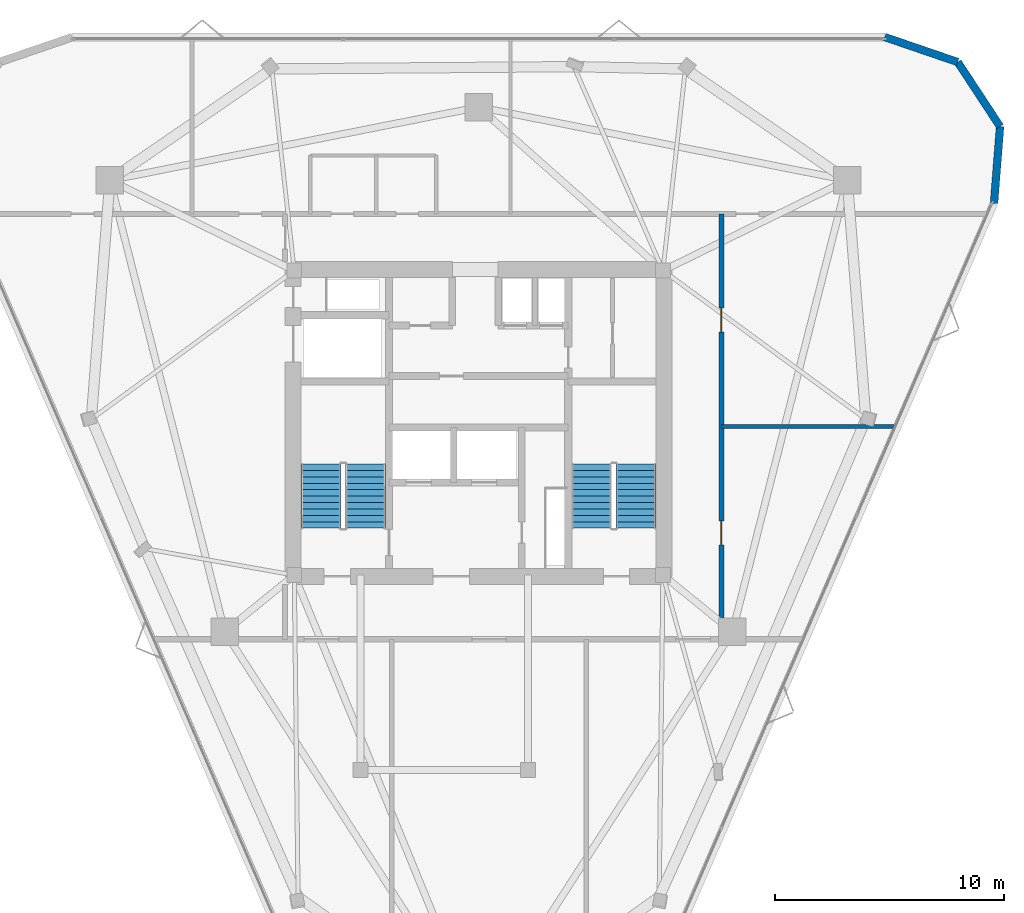
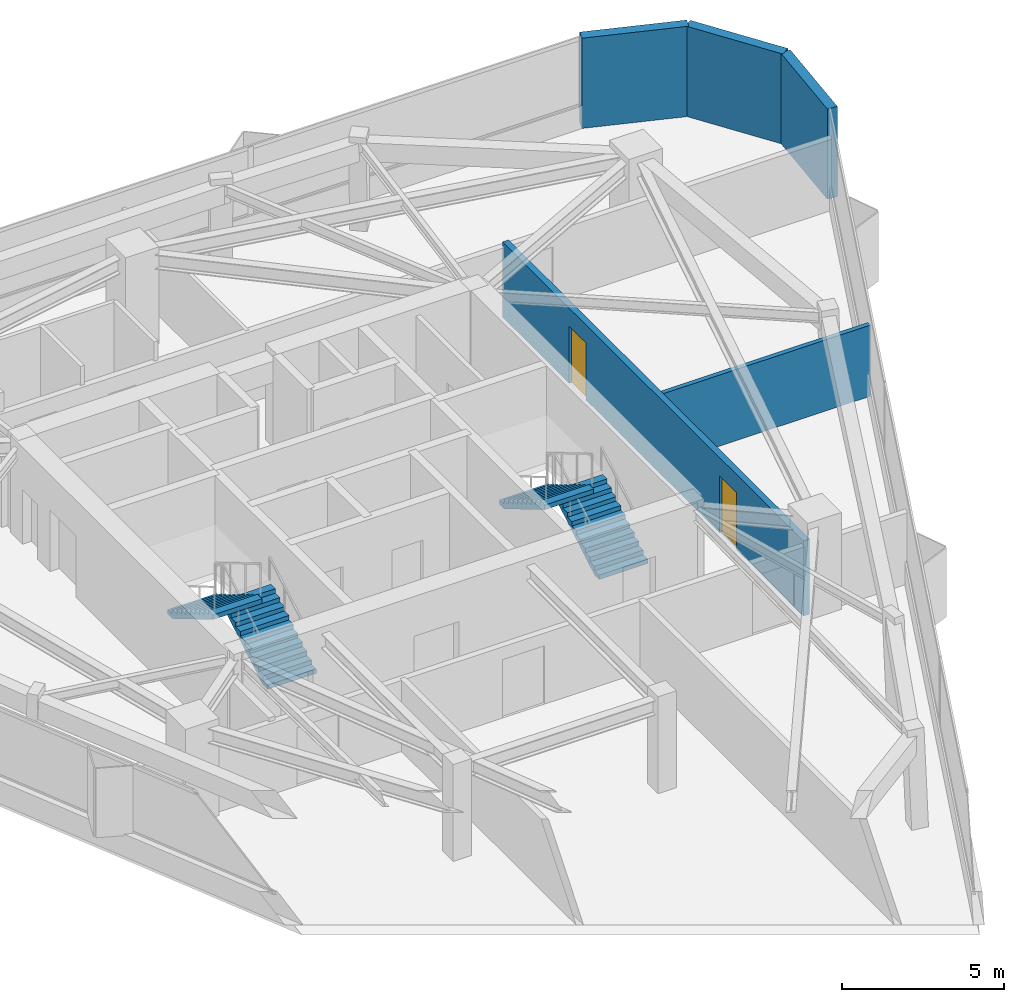
# One storey, part 10 of 11: 5 walls, 4 stair flights, 2 doors, 2 openings, 2 elements without a shape of their own.
"""IFC4 building model written with IfcOpenShell, lengths in metres."""

from ifc_helpers import new_model, si_unit, direction, frame, frame_2d, origin, place, context, subcontext, project, spatial, polyline, rectangle, outline, extrude, material, layer, layer_set, type_object, element, fill, aggregate, save


model = new_model("IFC4")

# Units and contexts
model_context = context("Model", 3, precision=1e-05, world=origin(), true_north=direction((0.0, 1.0)))
body_context = subcontext(model_context, "Body", "Model", "MODEL_VIEW")
ifc_project = project(units=[si_unit("LENGTHUNIT", "METRE"), si_unit("AREAUNIT", "SQUARE_METRE"), si_unit("VOLUMEUNIT", "CUBIC_METRE"), si_unit("PLANEANGLEUNIT", "RADIAN"), si_unit("MASSUNIT", "GRAM", prefix="KILO")], contexts=[model_context])

# Site, building, storey
site_placement = place(None, origin())
site = spatial("IfcSite", under=ifc_project, at=site_placement, CompositionType="ELEMENT")
building_placement = place(site_placement, origin())
building = spatial("IfcBuilding", under=site, at=building_placement, Name="Talyreon Biosciences Tower", CompositionType="ELEMENT")
storey_placement = place(building_placement, frame((0.0, 0.0, 264.449951171875)))
storey = spatial("IfcBuildingStorey", under=building, at=storey_placement, Name="L70", CompositionType="ELEMENT", Elevation=264.449951171875)

# Wall, openings, doors
ifc_material_1 = material(Name="Gypsum fireboard acoustic stud", Category="gypsum")
ifc_layer_1 = layer(ifc_material_1, 0.219970703125)
ifc_layer_set_1 = layer_set([ifc_layer_1], Name="Gypsum fireboard acoustic stud")
wall_type_1 = type_object("IfcWallType", Name="CorridorRatedPartition_220", PredefinedType="PARTITIONING", material=ifc_layer_set_1)
wall_1_placement = place(storey_placement, frame((76.60009765625, 58.550048828125, 0.0), z_axis=(0.0, 0.0, 1.0), x_axis=(0.0, 1.0, 0.0)))
wall_1 = element("IfcWall", 1, at=wall_1_placement, inside=storey, type_object=wall_type_1, Name="L70 Interior Wall IW-L70-COR-E", PredefinedType="PARTITIONING", context=body_context, shape_type="SweptSolid", body=[
    extrude(rectangle(XDim=18.579833984375, YDim=0.219970703125, at=frame_2d((9.2900390625, 0.0))), origin(), (0.0, 0.0, 1.0), 2.830078125),
])
opening_1_placement = place(wall_1_placement, frame((4.1201171875, 0.0, 0.0)))
opening_1 = element("IfcOpeningElement", 2, at=opening_1_placement, cuts=wall_1, Name="Opening DR-L70-E1A", PredefinedType="OPENING", context=body_context, shape_type="SweptSolid", body=[
    extrude(rectangle(XDim=1.050048828125, YDim=2.14990234375, at=frame_2d((0.52490234375, 1.074951171875))), frame((0.0, 0.119873046875, 0.0), z_axis=(0.0, -1.0, 0.0), x_axis=(1.0, 0.0, 0.0)), (0.0, 0.0, 1.0), 0.239990234375),
])
opening_2_placement = place(wall_1_placement, frame((13.409912109375, 0.0, 0.0)))
opening_2 = element("IfcOpeningElement", 3, at=opening_2_placement, cuts=wall_1, Name="Opening DR-L70-E2A", PredefinedType="OPENING", context=body_context, shape_type="SweptSolid", body=[
    extrude(rectangle(XDim=1.050048828125, YDim=2.14990234375, at=frame_2d((0.52490234375, 1.074951171875))), frame((0.0, 0.119873046875, 0.0), z_axis=(0.0, -1.0, 0.0), x_axis=(1.0, 0.0, 0.0)), (0.0, 0.0, 1.0), 0.239990234375),
])
ifc_material_2 = material(Name="Acoustic timber-core laboratory door", Category="wood")
door_type = type_object("IfcDoorType", Name="DryLabSingleDoor_1050x2150", OperationType="NOTDEFINED", PredefinedType="DOOR", material=ifc_material_2)
door_1_placement = place(opening_1_placement, origin())
door_1 = element("IfcDoor", 4, at=door_1_placement, inside=storey, type_object=door_type, Name="L70 Interior Door DR-L70-E1A", OperationType="SINGLE_SWING_RIGHT", OverallHeight=2.14990234375, OverallWidth=1.050048828125, PredefinedType="DOOR", context=body_context, shape_type="SweptSolid", body=[
    extrude(rectangle(XDim=1.050048828125, YDim=2.14990234375, at=frame_2d((0.52490234375, 1.074951171875))), frame((0.0, 0.02490234375, 0.0), z_axis=(0.0, -1.0, 0.0), x_axis=(1.0, 0.0, 0.0)), (0.0, 0.0, 1.0), 0.050048828125),
])
fill(opening_1, door_1)
door_2_placement = place(opening_2_placement, origin())
door_2 = element("IfcDoor", 5, at=door_2_placement, inside=storey, type_object=door_type, Name="L70 Interior Door DR-L70-E2A", OperationType="SINGLE_SWING_LEFT", OverallHeight=2.14990234375, OverallWidth=1.050048828125, PredefinedType="DOOR", context=body_context, shape_type="SweptSolid", body=[
    extrude(rectangle(XDim=1.050048828125, YDim=2.14990234375, at=frame_2d((0.52490234375, 1.074951171875))), frame((0.0, 0.02490234375, 0.0), z_axis=(0.0, -1.0, 0.0), x_axis=(1.0, 0.0, 0.0)), (0.0, 0.0, 1.0), 0.050048828125),
])
fill(opening_2, door_2)

# Walls
ifc_material_3 = material(Name="Gypsum acoustic stud partition", Category="gypsum")
ifc_layer_2 = layer(ifc_material_3, 0.159912109375)
ifc_layer_set_2 = layer_set([ifc_layer_2], Name="Gypsum acoustic stud partition")
wall_type_2 = type_object("IfcWallType", Name="LabSeparationPartition_160", PredefinedType="PARTITIONING", material=ifc_layer_set_2)
wall_2_placement = place(storey_placement, frame((76.60009765625, 67.840087890625, 0.0), z_axis=(0.0, 0.0, 1.0), x_axis=(1.0, 0.0, 0.0)))
element("IfcWall", 6, at=wall_2_placement, inside=storey, type_object=wall_type_2, Name="L70 Interior Wall IW-L70-EDIV1", PredefinedType="PARTITIONING", context=body_context, shape_type="SweptSolid", body=[
    extrude(rectangle(XDim=7.599853515625, YDim=0.159912109375, at=frame_2d((3.7998046875, 0.0))), origin(), (0.0, 0.0, 1.0), 2.679931640625),
])
ifc_material_4 = material(Name="Precast concrete C45/55", Category="concrete")
ifc_layer_3 = layer(ifc_material_4, 0.340087890625)
ifc_layer_set_3 = layer_set([ifc_layer_3], Name="Precast concrete C45/55")
wall_type_3 = type_object("IfcWallType", Name="PrecastConcreteSpandrelWall_340", PredefinedType="STANDARD", material=ifc_layer_set_3)
for number, where, z_axis, x_axis, name in (
    (7, (83.738525390625, 84.85107421875, 0.0), (0.0, 0.0, 1.0), (0.946079263446, -0.323935220805, 0.0), "L70 Rounded-Corner Concrete Pier 05"),
    (8, (86.92578125, 83.759765625, 0.0), (0.0, 0.0, 1.0), (0.548950833431, -0.835854641953, 0.0), "L70 Rounded-Corner Concrete Pier 06"),
    (9, (88.775146484375, 80.94384765625, 0.0), (0.0, 0.0, 1.0), (-0.078558440607, -0.996909510141, 0.0), "L70 Rounded-Corner Concrete Pier 07"),
):
    element("IfcWall", number, at=place(storey_placement, frame(where, z_axis=z_axis, x_axis=x_axis)), inside=storey, type_object=wall_type_3, Name=name, PredefinedType="STANDARD", context=body_context, shape_type="SweptSolid", body=[
        extrude(rectangle(XDim=3.368896484375, YDim=0.340087890625, at=frame_2d((1.6845703125, 0.0))), origin(), (0.0, 0.0, 1.0), 3.400146484375),
    ])

# Stair, stair flights
ifc_material_5 = material(Name="Concrete C40/50", Category="concrete")
stair_type = type_object("IfcStairType", Name="DoglegEscapeStair_3650", PredefinedType="HALF_TURN_STAIR", material=ifc_material_5)
stair_1_placement = place(storey_placement, origin())
stair_1 = element("IfcStair", 10, at=stair_1_placement, inside=storey, type_object=stair_type, Name="L70 Core Escape Stair 1", PredefinedType="HALF_TURN_STAIR")
stair_flight_type = type_object("IfcStairFlightType", Name="PrecastStairFlight_3650", PredefinedType="STRAIGHT", material=ifc_material_5)
stair_flight_1_placement = place(storey_placement, frame((61.06005859375, 63.39990234375, 0.0), z_axis=(0.0, 0.0, 1.0), x_axis=(0.0, 1.0, 0.0)))
stair_flight_1 = element("IfcStairFlight", 11, at=stair_flight_1_placement, type_object=stair_flight_type, Name="ST-1 flight 1", NumberOfRisers=11, NumberOfTreads=10, PredefinedType="STRAIGHT", RiserHeight=0.165909091, TreadLength=0.28, context=body_context, shape_type="SweptSolid", body=[
    extrude(outline(polyline([(0.0, 0.0), (0.0, 0.166015625), (0.280029296875, 0.166015625), (0.280029296875, 0.331787109375), (0.56005859375, 0.331787109375), (0.56005859375, 0.497802734375), (0.840087890625, 0.497802734375), (0.840087890625, 0.66357421875), (1.1201171875, 0.66357421875), (1.1201171875, 0.82958984375), (1.39990234375, 0.82958984375), (1.39990234375, 0.995361328125), (1.679931640625, 0.995361328125), (1.679931640625, 1.161376953125), (1.9599609375, 1.161376953125), (1.9599609375, 1.327392578125), (2.239990234375, 1.327392578125), (2.239990234375, 1.4931640625), (2.52001953125, 1.4931640625), (2.52001953125, 1.6591796875), (2.800048828125, 1.6591796875), (2.800048828125, 1.824951171875), (2.800048828125, 1.48486328125), (0.2939453125, 0.0), (0.0, 0.0)])), frame((0.0, 0.8701171875, 0.0), z_axis=(0.0, -1.0, 0.0), x_axis=(1.0, 0.0, 0.0)), (0.0, 0.0, 1.0), 1.739990234375),
])
stair_flight_2_placement = place(storey_placement, frame((59.1201171875, 66.199951171875, 1.824951171875), z_axis=(0.0, 0.0, 1.0), x_axis=(0.0, -1.0, 0.0)))
stair_flight_2 = element("IfcStairFlight", 12, at=stair_flight_2_placement, type_object=stair_flight_type, Name="ST-1 flight 2", NumberOfRisers=11, NumberOfTreads=10, PredefinedType="STRAIGHT", RiserHeight=0.165909091, TreadLength=0.28, context=body_context, shape_type="SweptSolid", body=[
    extrude(outline(polyline([(0.0, 0.0), (0.0, 0.166015625), (0.280029296875, 0.166015625), (0.280029296875, 0.331787109375), (0.56005859375, 0.331787109375), (0.56005859375, 0.497802734375), (0.840087890625, 0.497802734375), (0.840087890625, 0.66357421875), (1.1201171875, 0.66357421875), (1.1201171875, 0.82958984375), (1.39990234375, 0.82958984375), (1.39990234375, 0.995361328125), (1.679931640625, 0.995361328125), (1.679931640625, 1.161376953125), (1.9599609375, 1.161376953125), (1.9599609375, 1.327392578125), (2.239990234375, 1.327392578125), (2.239990234375, 1.4931640625), (2.52001953125, 1.4931640625), (2.52001953125, 1.6591796875), (2.800048828125, 1.6591796875), (2.800048828125, 1.824951171875), (2.800048828125, 1.48486328125), (0.2939453125, 0.0), (0.0, 0.0)])), frame((0.0, 0.8701171875, 0.0), z_axis=(0.0, -1.0, 0.0), x_axis=(1.0, 0.0, 0.0)), (0.0, 0.0, 1.0), 1.739990234375),
])
aggregate(stair_1, [stair_flight_1, stair_flight_2])

stair_2_placement = place(storey_placement, origin())
stair_2 = element("IfcStair", 13, at=stair_2_placement, inside=storey, type_object=stair_type, Name="L70 Core Escape Stair 2", PredefinedType="HALF_TURN_STAIR")
stair_flight_3_placement = place(storey_placement, frame((72.8798828125, 63.39990234375, 0.0), z_axis=(0.0, 0.0, 1.0), x_axis=(0.0, 1.0, 0.0)))
stair_flight_3 = element("IfcStairFlight", 14, at=stair_flight_3_placement, type_object=stair_flight_type, Name="ST-2 flight 1", NumberOfRisers=11, NumberOfTreads=10, PredefinedType="STRAIGHT", RiserHeight=0.165909091, TreadLength=0.28, context=body_context, shape_type="SweptSolid", body=[
    extrude(outline(polyline([(0.0, 0.0), (0.0, 0.166015625), (0.280029296875, 0.166015625), (0.280029296875, 0.331787109375), (0.56005859375, 0.331787109375), (0.56005859375, 0.497802734375), (0.840087890625, 0.497802734375), (0.840087890625, 0.66357421875), (1.1201171875, 0.66357421875), (1.1201171875, 0.82958984375), (1.39990234375, 0.82958984375), (1.39990234375, 0.995361328125), (1.679931640625, 0.995361328125), (1.679931640625, 1.161376953125), (1.9599609375, 1.161376953125), (1.9599609375, 1.327392578125), (2.239990234375, 1.327392578125), (2.239990234375, 1.4931640625), (2.52001953125, 1.4931640625), (2.52001953125, 1.6591796875), (2.800048828125, 1.6591796875), (2.800048828125, 1.824951171875), (2.800048828125, 1.48486328125), (0.2939453125, 0.0), (0.0, 0.0)])), frame((0.0, 0.8701171875, 0.0), z_axis=(0.0, -1.0, 0.0), x_axis=(1.0, 0.0, 0.0)), (0.0, 0.0, 1.0), 1.739990234375),
])
stair_flight_4_placement = place(storey_placement, frame((70.93994140625, 66.199951171875, 1.824951171875), z_axis=(0.0, 0.0, 1.0), x_axis=(0.0, -1.0, 0.0)))
stair_flight_4 = element("IfcStairFlight", 15, at=stair_flight_4_placement, type_object=stair_flight_type, Name="ST-2 flight 2", NumberOfRisers=11, NumberOfTreads=10, PredefinedType="STRAIGHT", RiserHeight=0.165909091, TreadLength=0.28, context=body_context, shape_type="SweptSolid", body=[
    extrude(outline(polyline([(0.0, 0.0), (0.0, 0.166015625), (0.280029296875, 0.166015625), (0.280029296875, 0.331787109375), (0.56005859375, 0.331787109375), (0.56005859375, 0.497802734375), (0.840087890625, 0.497802734375), (0.840087890625, 0.66357421875), (1.1201171875, 0.66357421875), (1.1201171875, 0.82958984375), (1.39990234375, 0.82958984375), (1.39990234375, 0.995361328125), (1.679931640625, 0.995361328125), (1.679931640625, 1.161376953125), (1.9599609375, 1.161376953125), (1.9599609375, 1.327392578125), (2.239990234375, 1.327392578125), (2.239990234375, 1.4931640625), (2.52001953125, 1.4931640625), (2.52001953125, 1.6591796875), (2.800048828125, 1.6591796875), (2.800048828125, 1.824951171875), (2.800048828125, 1.48486328125), (0.2939453125, 0.0), (0.0, 0.0)])), frame((0.0, 0.8701171875, 0.0), z_axis=(0.0, -1.0, 0.0), x_axis=(1.0, 0.0, 0.0)), (0.0, 0.0, 1.0), 1.739990234375),
])
aggregate(stair_2, [stair_flight_3, stair_flight_4])

save(model, "model.ifc")
